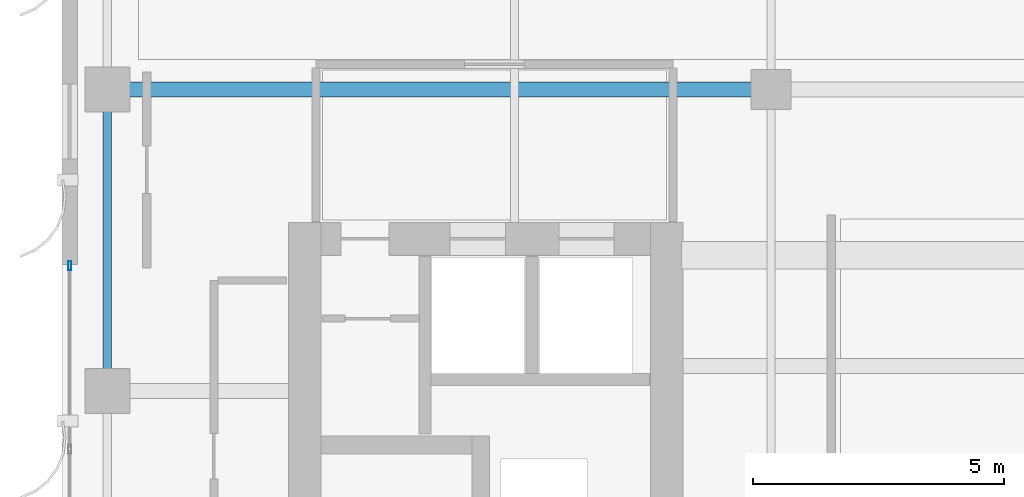
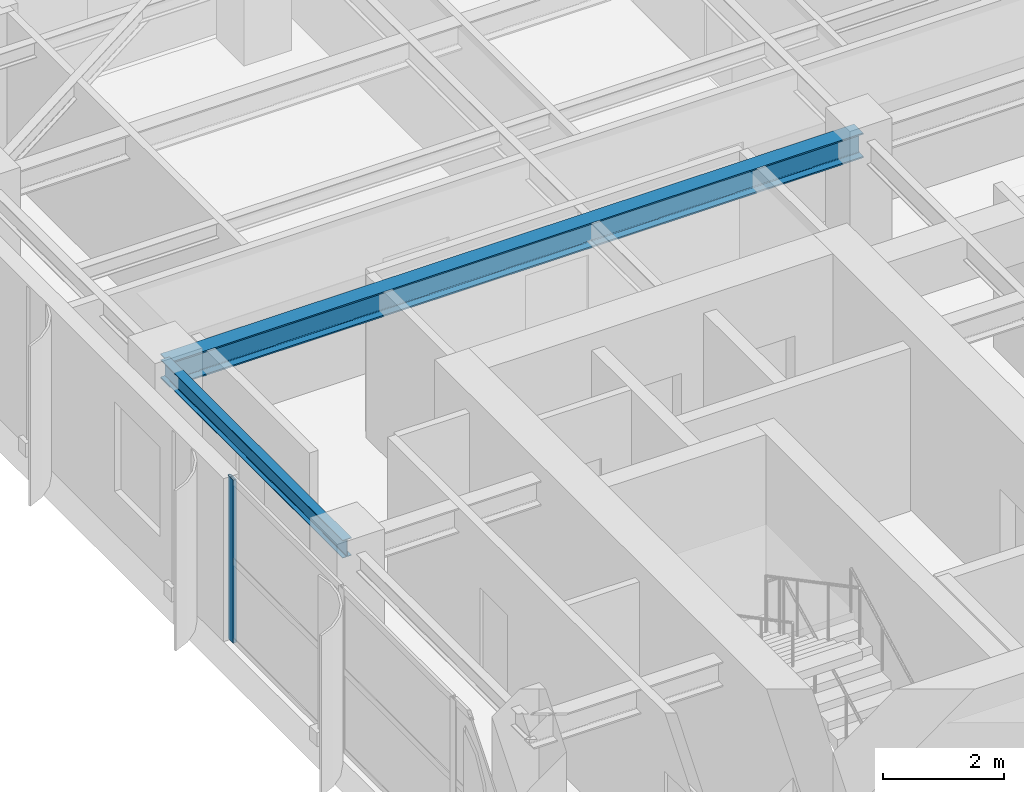
# One storey, part 9 of 25: 2 beams, 1 member, 1 element without a shape of its own.
"""IFC4 building model written with IfcOpenShell, lengths in metres."""

from ifc_helpers import new_model, si_unit, direction, frame, origin, origin_2d, place, context, subcontext, project, spatial, hollow_rectangle, i_section, extrude, source, transform, mapped, material, layer, layer_set, material_profile, profile_set, type_object, element, aggregate, save


model = new_model("IFC4")

# Units and contexts
model_context = context("Model", 3, precision=1e-05, world=origin(), true_north=direction((0.0, 1.0)))
body_context = subcontext(model_context, "Body", "Model", "MODEL_VIEW")
ifc_project = project(units=[si_unit("LENGTHUNIT", "METRE"), si_unit("AREAUNIT", "SQUARE_METRE"), si_unit("VOLUMEUNIT", "CUBIC_METRE"), si_unit("PLANEANGLEUNIT", "RADIAN"), si_unit("MASSUNIT", "GRAM", prefix="KILO")], contexts=[model_context])

# Site, building, storey
site_placement = place(None, origin())
site = spatial("IfcSite", under=ifc_project, at=site_placement, CompositionType="ELEMENT")
building_placement = place(site_placement, origin())
building = spatial("IfcBuilding", under=site, at=building_placement, Name="Khoralis Quay Care Tower", CompositionType="ELEMENT")
storey_placement = place(building_placement, frame((0.0, 0.0, 216.89990234375)))
storey = spatial("IfcBuildingStorey", under=building, at=storey_placement, Name="L57", CompositionType="ELEMENT", Elevation=216.89990234375)

# Beams
ifc_material_1 = material(Name="Steel S355", Category="steel")
ifc_material_profile_1 = material_profile(ifc_material_1, i_section(OverallWidth=0.169921875, OverallDepth=0.360107421875, WebThickness=0.008056640625, FlangeThickness=0.0126953125, FilletRadius=0.01806640625, at=origin_2d()), Name="Steel S355")
ifc_profile_set_1 = profile_set([ifc_material_profile_1], Name="Steel S355")
beam_type_1 = type_object("IfcBeamType", Name="BM-IPE360", PredefinedType="SPANDREL", material=ifc_profile_set_1)
shared_shape_1 = source(origin(), body_context, "Body", "SweptSolid", [
    extrude(i_section(OverallWidth=0.169921875, OverallDepth=0.360107421875, WebThickness=0.008056640625, FlangeThickness=0.0126953125, FilletRadius=0.01806640625, at=origin_2d()), origin(), (0.0, 0.0, 1.0), 6.0),
])
beam_1_placement = place(storey_placement, frame((3.89990234375, 24.0, 3.10009765625), z_axis=(0.0, 1.0, 0.0), x_axis=(-1.0, 0.0, 0.0)))
element("IfcBeam", 1, at=beam_1_placement, inside=storey, type_object=beam_type_1, Name="BM-TSP-L57-10", PredefinedType="SPANDREL", context=body_context, shape_type="MappedRepresentation", body=[
    mapped(shared_shape_1, transform((0.0, 0.0, 0.0), scale=1.0)),
])
ifc_material_profile_2 = material_profile(ifc_material_1, i_section(OverallWidth=0.300048828125, OverallDepth=0.5, WebThickness=0.014404296875, FlangeThickness=0.028076171875, FilletRadius=0.027099609375, at=origin_2d()), Name="Steel S355")
ifc_profile_set_2 = profile_set([ifc_material_profile_2], Name="Steel S355")
beam_type_2 = type_object("IfcBeamType", Name="BM-HEB500", PredefinedType="BEAM", material=ifc_profile_set_2)
shared_shape_2 = source(origin(), body_context, "Body", "SweptSolid", [
    extrude(i_section(OverallWidth=0.300048828125, OverallDepth=0.5, WebThickness=0.014404296875, FlangeThickness=0.028076171875, FilletRadius=0.027099609375, at=origin_2d()), origin(), (0.0, 0.0, 1.0), 13.2001953125),
])
beam_2_placement = place(storey_placement, frame((3.89990234375, 30.0, 3.030029296875), z_axis=(1.0, 0.0, 0.0), x_axis=(0.0, 1.0, 0.0)))
element("IfcBeam", 2, at=beam_2_placement, inside=storey, type_object=beam_type_2, Name="BM-TGXW-L57-300", PredefinedType="BEAM", context=body_context, shape_type="MappedRepresentation", body=[
    mapped(shared_shape_2, transform((0.0, 0.0, 0.0), scale=1.0)),
])

# Curtain wall, member
ifc_material_2 = material(Name="Pale anodised aluminium", Category="aluminium")
ifc_layer = layer(ifc_material_2, 0.159912109375)
ifc_layer_set = layer_set([ifc_layer], Name="Pale anodised aluminium")
curtain_wall_type = type_object("IfcCurtainWallType", Name="CW-SYS-Z3", PredefinedType="NOTDEFINED", material=ifc_layer_set)
curtain_wall_placement = place(storey_placement, origin())
curtain_wall = element("IfcCurtainWall", 3, at=curtain_wall_placement, inside=storey, type_object=curtain_wall_type, Name="L57 Unitised Curtain Wall CW-L57-P1-E15", PredefinedType="NOTDEFINED")
ifc_material_profile_3 = material_profile(ifc_material_2, hollow_rectangle(XDim=0.06494140625, YDim=0.179931640625, WallThickness=0.00390625, at=origin_2d()), Name="Pale anodised aluminium")
ifc_profile_set_3 = profile_set([ifc_material_profile_3], Name="Pale anodised aluminium")
member_type = type_object("IfcMemberType", Name="CW-MUL-180", PredefinedType="MULLION", material=ifc_profile_set_3)
shared_shape_3 = source(origin(), body_context, "Body", "SweptSolid", [
    extrude(hollow_rectangle(XDim=0.06494140625, YDim=0.179931640625, WallThickness=0.00390625, at=origin_2d()), origin(), (0.0, 0.0, 1.0), 3.280029296875),
])
member_placement = place(storey_placement, frame((3.14990234375, 26.489990234375, 0.0), z_axis=(0.0, 0.0, 1.0), x_axis=(1.0, 0.0, 0.0)))
member = element("IfcMember", 4, at=member_placement, type_object=member_type, Name="CW3 mullion 1", PredefinedType="MULLION", context=body_context, shape_type="MappedRepresentation", body=[
    mapped(shared_shape_3, transform((0.0, 0.0, 0.0), scale=1.0)),
])
aggregate(curtain_wall, [member])

save(model, "model.ifc")
